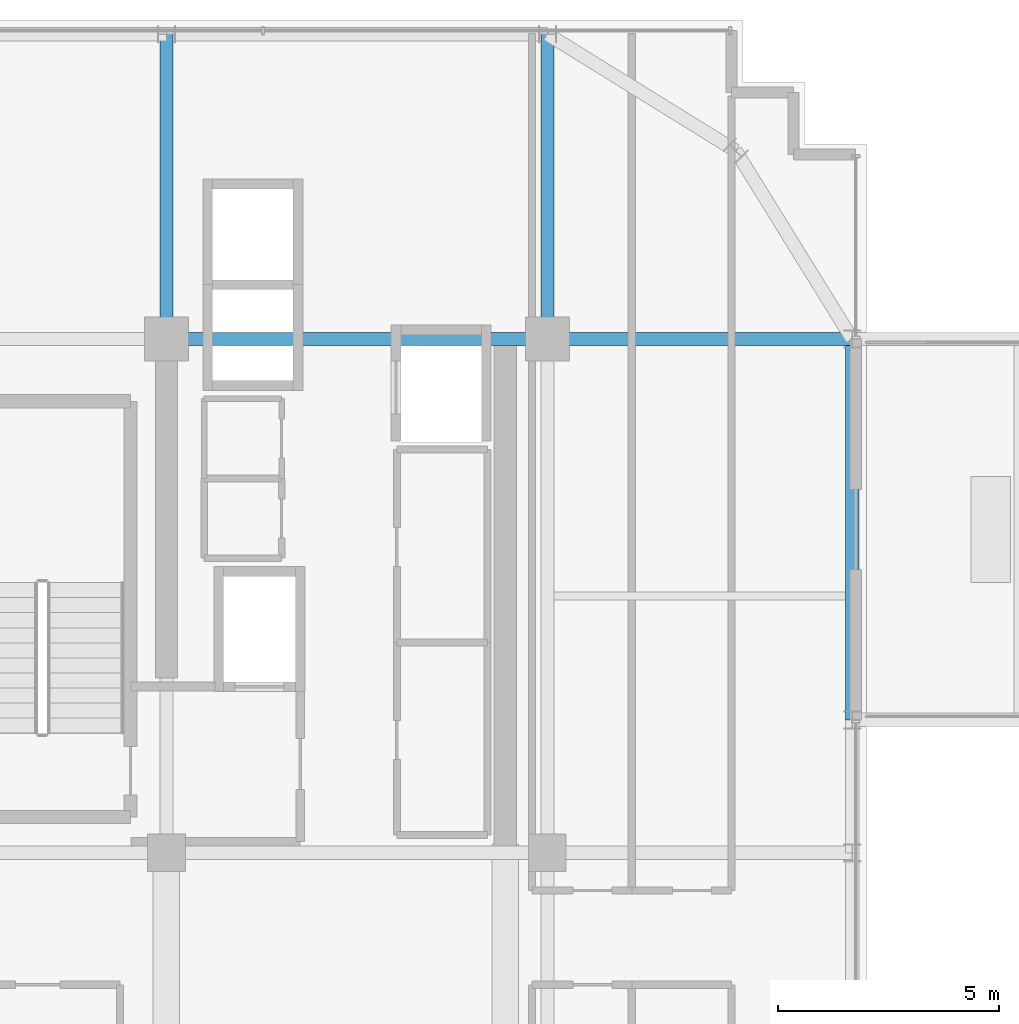
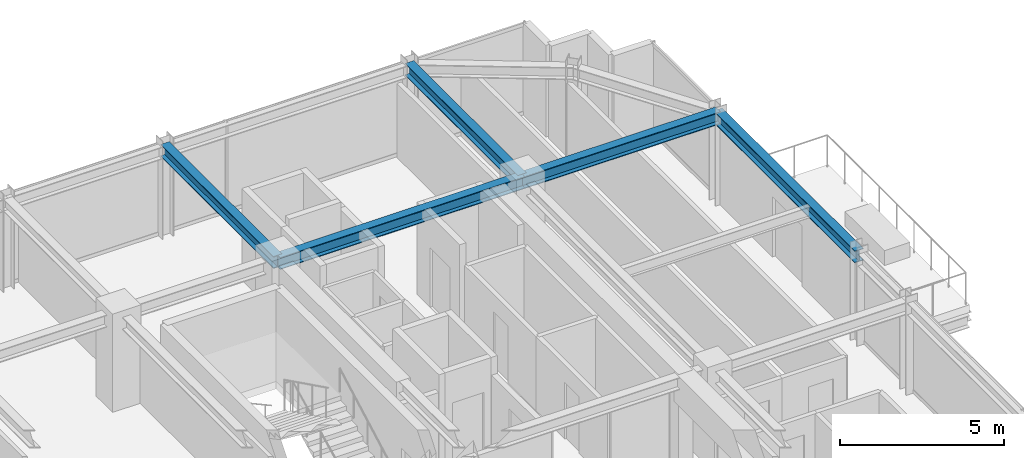
# One storey, part 24 of 34: 5 beams.
"""IFC4 building model written with IfcOpenShell, lengths in metres."""

from ifc_helpers import new_model, si_unit, direction, frame, origin, origin_2d, place, context, subcontext, project, spatial, i_section, extrude, source, transform, mapped, material, material_profile, profile_set, type_object, element, save


model = new_model("IFC4")

# Units and contexts
model_context = context("Model", 3, precision=1e-05, world=origin(), true_north=direction((0.0, 1.0)))
body_context = subcontext(model_context, "Body", "Model", "MODEL_VIEW")
ifc_project = project(units=[si_unit("LENGTHUNIT", "METRE"), si_unit("AREAUNIT", "SQUARE_METRE"), si_unit("VOLUMEUNIT", "CUBIC_METRE"), si_unit("PLANEANGLEUNIT", "RADIAN"), si_unit("MASSUNIT", "GRAM", prefix="KILO")], contexts=[model_context])

# Site, building, storey
site_placement = place(None, origin())
site = spatial("IfcSite", under=ifc_project, at=site_placement, CompositionType="ELEMENT")
building_placement = place(site_placement, origin())
building = spatial("IfcBuilding", under=site, at=building_placement, Name="Nahalor Promenade Grand Hotel", CompositionType="ELEMENT")
storey_placement = place(building_placement, frame((0.0, 0.0, 208.60009765625)))
storey = spatial("IfcBuildingStorey", under=building, at=storey_placement, Name="L53", CompositionType="ELEMENT", Elevation=208.60009765625)

# Beams
ifc_material = material(Name="Steel S355JR", Category="steel")
ifc_material_profile_1 = material_profile(ifc_material, i_section(OverallWidth=0.3, OverallDepth=0.45, WebThickness=0.014, FlangeThickness=0.026, at=origin_2d()), Name="HEB 450")
ifc_profile_set_1 = profile_set([ifc_material_profile_1], Name="Steel S355JR")
beam_type_1 = type_object("IfcBeamType", Name="Beam-Spandrel-HEB450", PredefinedType="SPANDREL", material=ifc_profile_set_1)
shared_shape_1 = source(origin(), body_context, "Body", "SweptSolid", [
    extrude(i_section(OverallWidth=0.3, OverallDepth=0.45, WebThickness=0.014, FlangeThickness=0.026, at=origin_2d()), origin(), (0.0, 0.0, 1.0), 8.60009765625),
])
beam_1_placement = place(storey_placement, frame((23.8798828125, 8.39990234375, 3.184814453125), z_axis=(0.0, 1.0, 0.0), x_axis=(-1.0, 0.0, 0.0)))
element("IfcBeam", 1, at=beam_1_placement, inside=storey, type_object=beam_type_1, Name="BM-L53-SP-E-4", PredefinedType="SPANDREL", context=body_context, shape_type="MappedRepresentation", body=[
    mapped(shared_shape_1, transform((0.0, 0.0, 0.0), scale=1.0)),
])
ifc_material_profile_2 = material_profile(ifc_material, i_section(OverallWidth=0.3, OverallDepth=0.45, WebThickness=0.014, FlangeThickness=0.026, at=origin_2d()), Name="HEB 450")
ifc_profile_set_2 = profile_set([ifc_material_profile_2], Name="Steel S355JR")
beam_type_2 = type_object("IfcBeamType", Name="Beam-Girder-HEB450", PredefinedType="BEAM", material=ifc_profile_set_2)
shared_shape_2 = source(origin(), body_context, "Body", "SweptSolid", [
    extrude(i_section(OverallWidth=0.3, OverallDepth=0.45, WebThickness=0.014, FlangeThickness=0.026, at=origin_2d()), origin(), (0.0, 0.0, 1.0), 6.8798828125),
])
for number, where, z_axis, x_axis, name in (
    (2, (17.0, 17.0, 3.184814453125), (1.0, 0.0, 0.0), (0.0, 1.0, 0.0), "BM-L53-GX-3-6"),
    (3, (8.39990234375, 17.0, 3.184814453125), (0.0, 1.0, 0.0), (-1.0, 0.0, 0.0), "BM-L53-GY-4-4"),
    (4, (17.0, 17.0, 3.184814453125), (0.0, 1.0, 0.0), (-1.0, 0.0, 0.0), "BM-L53-GY-5-4"),
):
    element("IfcBeam", number, at=place(storey_placement, frame(where, z_axis=z_axis, x_axis=x_axis)), inside=storey, type_object=beam_type_2, Name=name, PredefinedType="BEAM", context=body_context, shape_type="MappedRepresentation", body=[
        mapped(shared_shape_2, transform((0.0, 0.0, 0.0), scale=1.0)),
    ])
shared_shape_3 = source(origin(), body_context, "Body", "SweptSolid", [
    extrude(i_section(OverallWidth=0.3, OverallDepth=0.45, WebThickness=0.014, FlangeThickness=0.026, at=origin_2d()), origin(), (0.0, 0.0, 1.0), 8.60009765625),
])
beam_2_placement = place(storey_placement, frame((8.39990234375, 17.0, 3.184814453125), z_axis=(1.0, 0.0, 0.0), x_axis=(0.0, 1.0, 0.0)))
element("IfcBeam", 5, at=beam_2_placement, inside=storey, type_object=beam_type_2, Name="BM-L53-GX-3-5", PredefinedType="BEAM", context=body_context, shape_type="MappedRepresentation", body=[
    mapped(shared_shape_3, transform((0.0, 0.0, 0.0), scale=1.0)),
])

save(model, "model.ifc")
